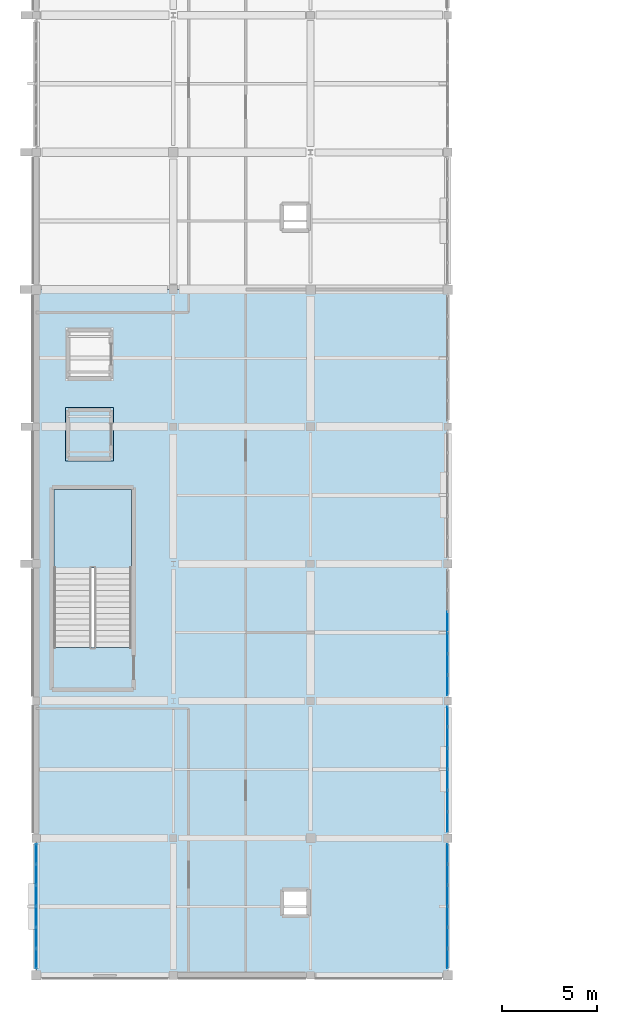
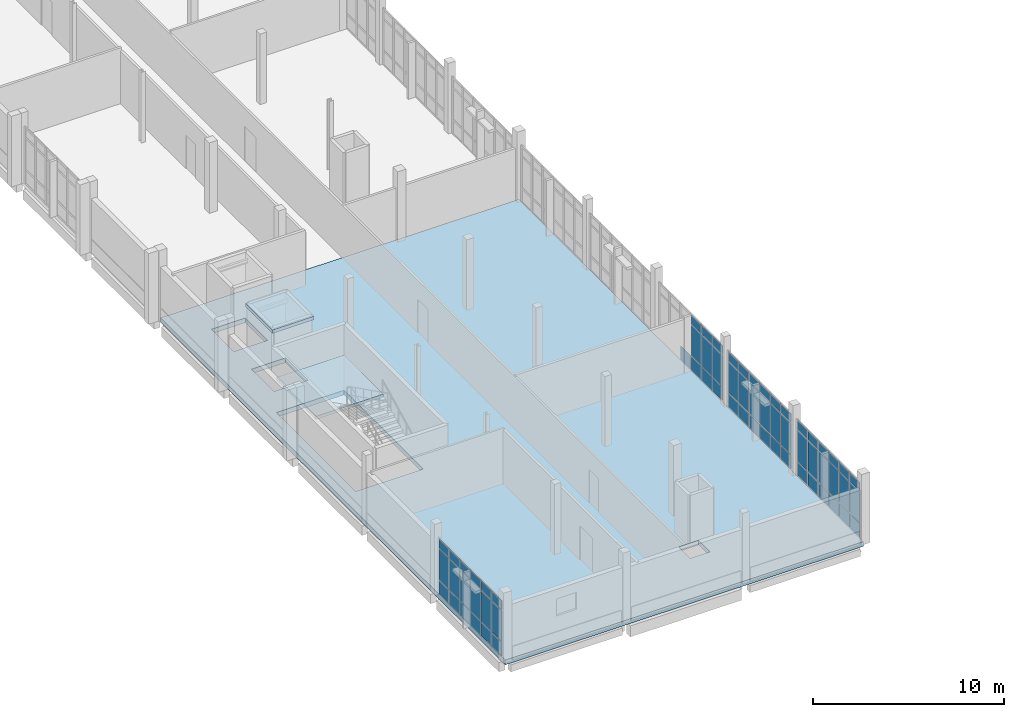
# One storey, part 45 of 62: 64 plates, 3 slabs, 5 elements without a shape of their own.
"""IFC4 building model written with IfcOpenShell, lengths in metres."""

from ifc_helpers import new_model, si_unit, direction, frame, origin, origin_2d, place, context, subcontext, project, spatial, polyline, rectangle, outline, extrude, material, layer, layer_set, type_object, element, aggregate, save


model = new_model("IFC4")

# Units and contexts
model_context = context("Model", 3, precision=1e-05, world=origin(), true_north=direction((0.0, 1.0)))
body_context = subcontext(model_context, "Body", "Model", "MODEL_VIEW")
ifc_project = project(units=[si_unit("LENGTHUNIT", "METRE"), si_unit("AREAUNIT", "SQUARE_METRE"), si_unit("VOLUMEUNIT", "CUBIC_METRE"), si_unit("PLANEANGLEUNIT", "RADIAN"), si_unit("MASSUNIT", "GRAM", prefix="KILO")], contexts=[model_context])

# Site, building, storey
site_placement = place(None, origin())
site = spatial("IfcSite", under=ifc_project, at=site_placement, CompositionType="ELEMENT")
building_placement = place(site_placement, origin())
building = spatial("IfcBuilding", under=site, at=building_placement, Name="Kalluvel Institute of Natural Sciences", CompositionType="ELEMENT")
storey_placement = place(building_placement, frame((0.0, 0.0, 27.89990234375)))
storey = spatial("IfcBuildingStorey", under=building, at=storey_placement, Name="L06", CompositionType="ELEMENT", Elevation=27.89990234375)

# Curtain wall, plates
ifc_material_1 = material(Name="Aluminium AW-6063 T6", Category="aluminium")
curtain_wall_type = type_object("IfcCurtainWallType", Name="CW-DRY-45", PredefinedType="USERDEFINED", material=ifc_material_1)
curtain_wall_1_placement = place(storey_placement, origin())
curtain_wall_1 = element("IfcCurtainWall", 1, at=curtain_wall_1_placement, inside=storey, type_object=curtain_wall_type, Name="L06 Gothic lancet curtain wall CWA-L06-X140-Y287", ObjectType="UNITISED LANCET FACADE", PredefinedType="USERDEFINED")
ifc_material_2 = material(Name="Solar-Control Low-E Laminated Glass", Category="glass")
ifc_layer_1 = layer(ifc_material_2, 0.028076171875)
ifc_layer_set_1 = layer_set([ifc_layer_1], Name="Solar-Control Low-E Laminated Glass")
plate_type = type_object("IfcPlateType", Name="CWP-DGU-28", PredefinedType="CURTAIN_PANEL", material=ifc_layer_set_1)
plate_1_placement = place(storey_placement, frame((14.0, 29.26708984375, 0.06005859375), z_axis=(0.0, 0.0, 1.0), x_axis=(0.0, 1.0, 0.0)))
plate_1 = element("IfcPlate", 2, at=plate_1_placement, type_object=plate_type, Name="CW-03 panel 1.1", PredefinedType="CURTAIN_PANEL", context=body_context, shape_type="SweptSolid", body=[
    extrude(rectangle(XDim=1.01416015625, YDim=0.028076171875, at=origin_2d()), origin(), (0.0, 0.0, 1.0), 0.860107421875),
])
plate_2_placement = place(storey_placement, frame((14.0, 29.26708984375, 0.980224609375), z_axis=(0.0, 0.0, 1.0), x_axis=(0.0, 1.0, 0.0)))
plate_2 = element("IfcPlate", 3, at=plate_2_placement, type_object=plate_type, Name="CW-03 panel 1.2", PredefinedType="CURTAIN_PANEL", context=body_context, shape_type="SweptSolid", body=[
    extrude(rectangle(XDim=1.01416015625, YDim=0.028076171875, at=origin_2d()), origin(), (0.0, 0.0, 1.0), 1.9599609375),
])
plate_3_placement = place(storey_placement, frame((14.0, 29.26708984375, 3.0), z_axis=(0.0, 0.0, 1.0), x_axis=(0.0, 1.0, 0.0)))
plate_3 = element("IfcPlate", 4, at=plate_3_placement, type_object=plate_type, Name="CW-03 panel 1.3", PredefinedType="CURTAIN_PANEL", context=body_context, shape_type="SweptSolid", body=[
    extrude(rectangle(XDim=1.01416015625, YDim=0.028076171875, at=origin_2d()), origin(), (0.0, 0.0, 1.0), 0.56005859375),
])
plate_4_placement = place(storey_placement, frame((14.0, 30.356201171875, 0.06005859375), z_axis=(0.0, 0.0, 1.0), x_axis=(0.0, 1.0, 0.0)))
plate_4 = element("IfcPlate", 5, at=plate_4_placement, type_object=plate_type, Name="CW-03 panel 2.1", PredefinedType="CURTAIN_PANEL", context=body_context, shape_type="SweptSolid", body=[
    extrude(rectangle(XDim=1.044189453125, YDim=0.028076171875, at=origin_2d()), origin(), (0.0, 0.0, 1.0), 0.860107421875),
])
plate_5_placement = place(storey_placement, frame((14.0, 30.356201171875, 0.980224609375), z_axis=(0.0, 0.0, 1.0), x_axis=(0.0, 1.0, 0.0)))
plate_5 = element("IfcPlate", 6, at=plate_5_placement, type_object=plate_type, Name="CW-03 panel 2.2", PredefinedType="CURTAIN_PANEL", context=body_context, shape_type="SweptSolid", body=[
    extrude(rectangle(XDim=1.044189453125, YDim=0.028076171875, at=origin_2d()), origin(), (0.0, 0.0, 1.0), 1.9599609375),
])
plate_6_placement = place(storey_placement, frame((14.0, 30.356201171875, 3.0), z_axis=(0.0, 0.0, 1.0), x_axis=(0.0, 1.0, 0.0)))
plate_6 = element("IfcPlate", 7, at=plate_6_placement, type_object=plate_type, Name="CW-03 panel 2.3", PredefinedType="CURTAIN_PANEL", context=body_context, shape_type="SweptSolid", body=[
    extrude(rectangle(XDim=1.044189453125, YDim=0.028076171875, at=origin_2d()), origin(), (0.0, 0.0, 1.0), 0.56005859375),
])
plate_7_placement = place(storey_placement, frame((14.0, 31.46044921875, 0.06005859375), z_axis=(0.0, 0.0, 1.0), x_axis=(0.0, 1.0, 0.0)))
plate_7 = element("IfcPlate", 8, at=plate_7_placement, type_object=plate_type, Name="CW-03 panel 3.1", PredefinedType="CURTAIN_PANEL", context=body_context, shape_type="SweptSolid", body=[
    extrude(rectangle(XDim=1.044189453125, YDim=0.028076171875, at=origin_2d()), origin(), (0.0, 0.0, 1.0), 0.860107421875),
])
plate_8_placement = place(storey_placement, frame((14.0, 31.46044921875, 0.980224609375), z_axis=(0.0, 0.0, 1.0), x_axis=(0.0, 1.0, 0.0)))
plate_8 = element("IfcPlate", 9, at=plate_8_placement, type_object=plate_type, Name="CW-03 panel 3.2", PredefinedType="CURTAIN_PANEL", context=body_context, shape_type="SweptSolid", body=[
    extrude(rectangle(XDim=1.044189453125, YDim=0.028076171875, at=origin_2d()), origin(), (0.0, 0.0, 1.0), 1.9599609375),
])
plate_9_placement = place(storey_placement, frame((14.0, 31.46044921875, 3.0), z_axis=(0.0, 0.0, 1.0), x_axis=(0.0, 1.0, 0.0)))
plate_9 = element("IfcPlate", 10, at=plate_9_placement, type_object=plate_type, Name="CW-03 panel 3.3", PredefinedType="CURTAIN_PANEL", context=body_context, shape_type="SweptSolid", body=[
    extrude(rectangle(XDim=1.044189453125, YDim=0.028076171875, at=origin_2d()), origin(), (0.0, 0.0, 1.0), 0.56005859375),
])
plate_10_placement = place(storey_placement, frame((14.0, 32.564697265625, 0.06005859375), z_axis=(0.0, 0.0, 1.0), x_axis=(0.0, 1.0, 0.0)))
plate_10 = element("IfcPlate", 11, at=plate_10_placement, type_object=plate_type, Name="CW-03 panel 4.1", PredefinedType="CURTAIN_PANEL", context=body_context, shape_type="SweptSolid", body=[
    extrude(rectangle(XDim=1.044189453125, YDim=0.028076171875, at=origin_2d()), origin(), (0.0, 0.0, 1.0), 0.860107421875),
])
plate_11_placement = place(storey_placement, frame((14.0, 32.564697265625, 0.980224609375), z_axis=(0.0, 0.0, 1.0), x_axis=(0.0, 1.0, 0.0)))
plate_11 = element("IfcPlate", 12, at=plate_11_placement, type_object=plate_type, Name="CW-03 panel 4.2", PredefinedType="CURTAIN_PANEL", context=body_context, shape_type="SweptSolid", body=[
    extrude(rectangle(XDim=1.044189453125, YDim=0.028076171875, at=origin_2d()), origin(), (0.0, 0.0, 1.0), 1.9599609375),
])
plate_12_placement = place(storey_placement, frame((14.0, 32.564697265625, 3.0), z_axis=(0.0, 0.0, 1.0), x_axis=(0.0, 1.0, 0.0)))
plate_12 = element("IfcPlate", 13, at=plate_12_placement, type_object=plate_type, Name="CW-03 panel 4.3", PredefinedType="CURTAIN_PANEL", context=body_context, shape_type="SweptSolid", body=[
    extrude(rectangle(XDim=1.044189453125, YDim=0.028076171875, at=origin_2d()), origin(), (0.0, 0.0, 1.0), 0.56005859375),
])
plate_13_placement = place(storey_placement, frame((14.0, 33.668701171875, 0.06005859375), z_axis=(0.0, 0.0, 1.0), x_axis=(0.0, 1.0, 0.0)))
plate_13 = element("IfcPlate", 14, at=plate_13_placement, type_object=plate_type, Name="CW-03 panel 5.1", PredefinedType="CURTAIN_PANEL", context=body_context, shape_type="SweptSolid", body=[
    extrude(rectangle(XDim=1.044189453125, YDim=0.028076171875, at=origin_2d()), origin(), (0.0, 0.0, 1.0), 0.860107421875),
])
plate_14_placement = place(storey_placement, frame((14.0, 33.668701171875, 0.980224609375), z_axis=(0.0, 0.0, 1.0), x_axis=(0.0, 1.0, 0.0)))
plate_14 = element("IfcPlate", 15, at=plate_14_placement, type_object=plate_type, Name="CW-03 panel 5.2", PredefinedType="CURTAIN_PANEL", context=body_context, shape_type="SweptSolid", body=[
    extrude(rectangle(XDim=1.044189453125, YDim=0.028076171875, at=origin_2d()), origin(), (0.0, 0.0, 1.0), 1.9599609375),
])
plate_15_placement = place(storey_placement, frame((14.0, 33.668701171875, 3.0), z_axis=(0.0, 0.0, 1.0), x_axis=(0.0, 1.0, 0.0)))
plate_15 = element("IfcPlate", 16, at=plate_15_placement, type_object=plate_type, Name="CW-03 panel 5.3", PredefinedType="CURTAIN_PANEL", context=body_context, shape_type="SweptSolid", body=[
    extrude(rectangle(XDim=1.044189453125, YDim=0.028076171875, at=origin_2d()), origin(), (0.0, 0.0, 1.0), 0.56005859375),
])
plate_16_placement = place(storey_placement, frame((14.0, 34.7578125, 0.06005859375), z_axis=(0.0, 0.0, 1.0), x_axis=(0.0, 1.0, 0.0)))
plate_16 = element("IfcPlate", 17, at=plate_16_placement, type_object=plate_type, Name="CW-03 panel 6.1", PredefinedType="CURTAIN_PANEL", context=body_context, shape_type="SweptSolid", body=[
    extrude(rectangle(XDim=1.01416015625, YDim=0.028076171875, at=origin_2d()), origin(), (0.0, 0.0, 1.0), 0.860107421875),
])
plate_17_placement = place(storey_placement, frame((14.0, 34.7578125, 0.980224609375), z_axis=(0.0, 0.0, 1.0), x_axis=(0.0, 1.0, 0.0)))
plate_17 = element("IfcPlate", 18, at=plate_17_placement, type_object=plate_type, Name="CW-03 panel 6.2", PredefinedType="CURTAIN_PANEL", context=body_context, shape_type="SweptSolid", body=[
    extrude(rectangle(XDim=1.01416015625, YDim=0.028076171875, at=origin_2d()), origin(), (0.0, 0.0, 1.0), 1.9599609375),
])
plate_18_placement = place(storey_placement, frame((14.0, 34.7578125, 3.0), z_axis=(0.0, 0.0, 1.0), x_axis=(0.0, 1.0, 0.0)))
plate_18 = element("IfcPlate", 19, at=plate_18_placement, type_object=plate_type, Name="CW-03 panel 6.3", PredefinedType="CURTAIN_PANEL", context=body_context, shape_type="SweptSolid", body=[
    extrude(rectangle(XDim=1.01416015625, YDim=0.028076171875, at=origin_2d()), origin(), (0.0, 0.0, 1.0), 0.56005859375),
])
aggregate(curtain_wall_1, [plate_1, plate_2, plate_3, plate_4, plate_5, plate_6, plate_7, plate_8, plate_9, plate_10, plate_11, plate_12, plate_13, plate_14, plate_15, plate_16, plate_17, plate_18])

curtain_wall_2_placement = place(storey_placement, origin())
curtain_wall_2 = element("IfcCurtainWall", 20, at=curtain_wall_2_placement, inside=storey, type_object=curtain_wall_type, Name="L06 Gothic lancet curtain wall CWA-L06-X356-Y287", ObjectType="UNITISED LANCET FACADE", PredefinedType="USERDEFINED")
plate_19_placement = place(storey_placement, frame((35.60009765625, 29.26708984375, 0.06005859375), z_axis=(0.0, 0.0, 1.0), x_axis=(0.0, 1.0, 0.0)))
plate_19 = element("IfcPlate", 21, at=plate_19_placement, type_object=plate_type, Name="CW-03 panel 1.1", PredefinedType="CURTAIN_PANEL", context=body_context, shape_type="SweptSolid", body=[
    extrude(rectangle(XDim=1.01416015625, YDim=0.028076171875, at=origin_2d()), origin(), (0.0, 0.0, 1.0), 0.860107421875),
])
plate_20_placement = place(storey_placement, frame((35.60009765625, 29.26708984375, 0.980224609375), z_axis=(0.0, 0.0, 1.0), x_axis=(0.0, 1.0, 0.0)))
plate_20 = element("IfcPlate", 22, at=plate_20_placement, type_object=plate_type, Name="CW-03 panel 1.2", PredefinedType="CURTAIN_PANEL", context=body_context, shape_type="SweptSolid", body=[
    extrude(rectangle(XDim=1.01416015625, YDim=0.028076171875, at=origin_2d()), origin(), (0.0, 0.0, 1.0), 1.9599609375),
])
plate_21_placement = place(storey_placement, frame((35.60009765625, 29.26708984375, 3.0), z_axis=(0.0, 0.0, 1.0), x_axis=(0.0, 1.0, 0.0)))
plate_21 = element("IfcPlate", 23, at=plate_21_placement, type_object=plate_type, Name="CW-03 panel 1.3", PredefinedType="CURTAIN_PANEL", context=body_context, shape_type="SweptSolid", body=[
    extrude(rectangle(XDim=1.01416015625, YDim=0.028076171875, at=origin_2d()), origin(), (0.0, 0.0, 1.0), 0.56005859375),
])
plate_22_placement = place(storey_placement, frame((35.60009765625, 30.356201171875, 0.06005859375), z_axis=(0.0, 0.0, 1.0), x_axis=(0.0, 1.0, 0.0)))
plate_22 = element("IfcPlate", 24, at=plate_22_placement, type_object=plate_type, Name="CW-03 panel 2.1", PredefinedType="CURTAIN_PANEL", context=body_context, shape_type="SweptSolid", body=[
    extrude(rectangle(XDim=1.044189453125, YDim=0.028076171875, at=origin_2d()), origin(), (0.0, 0.0, 1.0), 0.860107421875),
])
plate_23_placement = place(storey_placement, frame((35.60009765625, 30.356201171875, 0.980224609375), z_axis=(0.0, 0.0, 1.0), x_axis=(0.0, 1.0, 0.0)))
plate_23 = element("IfcPlate", 25, at=plate_23_placement, type_object=plate_type, Name="CW-03 panel 2.2", PredefinedType="CURTAIN_PANEL", context=body_context, shape_type="SweptSolid", body=[
    extrude(rectangle(XDim=1.044189453125, YDim=0.028076171875, at=origin_2d()), origin(), (0.0, 0.0, 1.0), 1.9599609375),
])
plate_24_placement = place(storey_placement, frame((35.60009765625, 30.356201171875, 3.0), z_axis=(0.0, 0.0, 1.0), x_axis=(0.0, 1.0, 0.0)))
plate_24 = element("IfcPlate", 26, at=plate_24_placement, type_object=plate_type, Name="CW-03 panel 2.3", PredefinedType="CURTAIN_PANEL", context=body_context, shape_type="SweptSolid", body=[
    extrude(rectangle(XDim=1.044189453125, YDim=0.028076171875, at=origin_2d()), origin(), (0.0, 0.0, 1.0), 0.56005859375),
])
plate_25_placement = place(storey_placement, frame((35.60009765625, 31.46044921875, 0.06005859375), z_axis=(0.0, 0.0, 1.0), x_axis=(0.0, 1.0, 0.0)))
plate_25 = element("IfcPlate", 27, at=plate_25_placement, type_object=plate_type, Name="CW-03 panel 3.1", PredefinedType="CURTAIN_PANEL", context=body_context, shape_type="SweptSolid", body=[
    extrude(rectangle(XDim=1.044189453125, YDim=0.028076171875, at=origin_2d()), origin(), (0.0, 0.0, 1.0), 0.860107421875),
])
plate_26_placement = place(storey_placement, frame((35.60009765625, 31.46044921875, 0.980224609375), z_axis=(0.0, 0.0, 1.0), x_axis=(0.0, 1.0, 0.0)))
plate_26 = element("IfcPlate", 28, at=plate_26_placement, type_object=plate_type, Name="CW-03 panel 3.2", PredefinedType="CURTAIN_PANEL", context=body_context, shape_type="SweptSolid", body=[
    extrude(rectangle(XDim=1.044189453125, YDim=0.028076171875, at=origin_2d()), origin(), (0.0, 0.0, 1.0), 1.9599609375),
])
plate_27_placement = place(storey_placement, frame((35.60009765625, 31.46044921875, 3.0), z_axis=(0.0, 0.0, 1.0), x_axis=(0.0, 1.0, 0.0)))
plate_27 = element("IfcPlate", 29, at=plate_27_placement, type_object=plate_type, Name="CW-03 panel 3.3", PredefinedType="CURTAIN_PANEL", context=body_context, shape_type="SweptSolid", body=[
    extrude(rectangle(XDim=1.044189453125, YDim=0.028076171875, at=origin_2d()), origin(), (0.0, 0.0, 1.0), 0.56005859375),
])
plate_28_placement = place(storey_placement, frame((35.60009765625, 32.564697265625, 0.06005859375), z_axis=(0.0, 0.0, 1.0), x_axis=(0.0, 1.0, 0.0)))
plate_28 = element("IfcPlate", 30, at=plate_28_placement, type_object=plate_type, Name="CW-03 panel 4.1", PredefinedType="CURTAIN_PANEL", context=body_context, shape_type="SweptSolid", body=[
    extrude(rectangle(XDim=1.044189453125, YDim=0.028076171875, at=origin_2d()), origin(), (0.0, 0.0, 1.0), 0.860107421875),
])
plate_29_placement = place(storey_placement, frame((35.60009765625, 32.564697265625, 0.980224609375), z_axis=(0.0, 0.0, 1.0), x_axis=(0.0, 1.0, 0.0)))
plate_29 = element("IfcPlate", 31, at=plate_29_placement, type_object=plate_type, Name="CW-03 panel 4.2", PredefinedType="CURTAIN_PANEL", context=body_context, shape_type="SweptSolid", body=[
    extrude(rectangle(XDim=1.044189453125, YDim=0.028076171875, at=origin_2d()), origin(), (0.0, 0.0, 1.0), 1.9599609375),
])
plate_30_placement = place(storey_placement, frame((35.60009765625, 32.564697265625, 3.0), z_axis=(0.0, 0.0, 1.0), x_axis=(0.0, 1.0, 0.0)))
plate_30 = element("IfcPlate", 32, at=plate_30_placement, type_object=plate_type, Name="CW-03 panel 4.3", PredefinedType="CURTAIN_PANEL", context=body_context, shape_type="SweptSolid", body=[
    extrude(rectangle(XDim=1.044189453125, YDim=0.028076171875, at=origin_2d()), origin(), (0.0, 0.0, 1.0), 0.56005859375),
])
plate_31_placement = place(storey_placement, frame((35.60009765625, 33.668701171875, 0.06005859375), z_axis=(0.0, 0.0, 1.0), x_axis=(0.0, 1.0, 0.0)))
plate_31 = element("IfcPlate", 33, at=plate_31_placement, type_object=plate_type, Name="CW-03 panel 5.1", PredefinedType="CURTAIN_PANEL", context=body_context, shape_type="SweptSolid", body=[
    extrude(rectangle(XDim=1.044189453125, YDim=0.028076171875, at=origin_2d()), origin(), (0.0, 0.0, 1.0), 0.860107421875),
])
plate_32_placement = place(storey_placement, frame((35.60009765625, 33.668701171875, 0.980224609375), z_axis=(0.0, 0.0, 1.0), x_axis=(0.0, 1.0, 0.0)))
plate_32 = element("IfcPlate", 34, at=plate_32_placement, type_object=plate_type, Name="CW-03 panel 5.2", PredefinedType="CURTAIN_PANEL", context=body_context, shape_type="SweptSolid", body=[
    extrude(rectangle(XDim=1.044189453125, YDim=0.028076171875, at=origin_2d()), origin(), (0.0, 0.0, 1.0), 1.9599609375),
])
plate_33_placement = place(storey_placement, frame((35.60009765625, 33.668701171875, 3.0), z_axis=(0.0, 0.0, 1.0), x_axis=(0.0, 1.0, 0.0)))
plate_33 = element("IfcPlate", 35, at=plate_33_placement, type_object=plate_type, Name="CW-03 panel 5.3", PredefinedType="CURTAIN_PANEL", context=body_context, shape_type="SweptSolid", body=[
    extrude(rectangle(XDim=1.044189453125, YDim=0.028076171875, at=origin_2d()), origin(), (0.0, 0.0, 1.0), 0.56005859375),
])
plate_34_placement = place(storey_placement, frame((35.60009765625, 34.7578125, 0.06005859375), z_axis=(0.0, 0.0, 1.0), x_axis=(0.0, 1.0, 0.0)))
plate_34 = element("IfcPlate", 36, at=plate_34_placement, type_object=plate_type, Name="CW-03 panel 6.1", PredefinedType="CURTAIN_PANEL", context=body_context, shape_type="SweptSolid", body=[
    extrude(rectangle(XDim=1.01416015625, YDim=0.028076171875, at=origin_2d()), origin(), (0.0, 0.0, 1.0), 0.860107421875),
])
plate_35_placement = place(storey_placement, frame((35.60009765625, 34.7578125, 0.980224609375), z_axis=(0.0, 0.0, 1.0), x_axis=(0.0, 1.0, 0.0)))
plate_35 = element("IfcPlate", 37, at=plate_35_placement, type_object=plate_type, Name="CW-03 panel 6.2", PredefinedType="CURTAIN_PANEL", context=body_context, shape_type="SweptSolid", body=[
    extrude(rectangle(XDim=1.01416015625, YDim=0.028076171875, at=origin_2d()), origin(), (0.0, 0.0, 1.0), 1.9599609375),
])
plate_36_placement = place(storey_placement, frame((35.60009765625, 34.7578125, 3.0), z_axis=(0.0, 0.0, 1.0), x_axis=(0.0, 1.0, 0.0)))
plate_36 = element("IfcPlate", 38, at=plate_36_placement, type_object=plate_type, Name="CW-03 panel 6.3", PredefinedType="CURTAIN_PANEL", context=body_context, shape_type="SweptSolid", body=[
    extrude(rectangle(XDim=1.01416015625, YDim=0.028076171875, at=origin_2d()), origin(), (0.0, 0.0, 1.0), 0.56005859375),
])
aggregate(curtain_wall_2, [plate_19, plate_20, plate_21, plate_22, plate_23, plate_24, plate_25, plate_26, plate_27, plate_28, plate_29, plate_30, plate_31, plate_32, plate_33, plate_34, plate_35, plate_36])

curtain_wall_3_placement = place(storey_placement, origin())
curtain_wall_3 = element("IfcCurtainWall", 39, at=curtain_wall_3_placement, inside=storey, type_object=curtain_wall_type, Name="L06 Gothic lancet curtain wall CWA-L06-X356-Y359", ObjectType="UNITISED LANCET FACADE", PredefinedType="USERDEFINED")
plate_37_placement = place(storey_placement, frame((35.60009765625, 36.4462890625, 0.06005859375), z_axis=(0.0, 0.0, 1.0), x_axis=(0.0, 1.0, 0.0)))
plate_37 = element("IfcPlate", 40, at=plate_37_placement, type_object=plate_type, Name="CW-03 panel 1.1", PredefinedType="CURTAIN_PANEL", context=body_context, shape_type="SweptSolid", body=[
    extrude(rectangle(XDim=1.0224609375, YDim=0.028076171875, at=origin_2d()), origin(), (0.0, 0.0, 1.0), 0.860107421875),
])
plate_38_placement = place(storey_placement, frame((35.60009765625, 36.4462890625, 0.980224609375), z_axis=(0.0, 0.0, 1.0), x_axis=(0.0, 1.0, 0.0)))
plate_38 = element("IfcPlate", 41, at=plate_38_placement, type_object=plate_type, Name="CW-03 panel 1.2", PredefinedType="CURTAIN_PANEL", context=body_context, shape_type="SweptSolid", body=[
    extrude(rectangle(XDim=1.0224609375, YDim=0.028076171875, at=origin_2d()), origin(), (0.0, 0.0, 1.0), 1.9599609375),
])
plate_39_placement = place(storey_placement, frame((35.60009765625, 36.4462890625, 3.0), z_axis=(0.0, 0.0, 1.0), x_axis=(0.0, 1.0, 0.0)))
plate_39 = element("IfcPlate", 42, at=plate_39_placement, type_object=plate_type, Name="CW-03 panel 1.3", PredefinedType="CURTAIN_PANEL", context=body_context, shape_type="SweptSolid", body=[
    extrude(rectangle(XDim=1.0224609375, YDim=0.028076171875, at=origin_2d()), origin(), (0.0, 0.0, 1.0), 0.56005859375),
])
plate_40_placement = place(storey_placement, frame((35.60009765625, 37.543701171875, 0.06005859375), z_axis=(0.0, 0.0, 1.0), x_axis=(0.0, 1.0, 0.0)))
plate_40 = element("IfcPlate", 43, at=plate_40_placement, type_object=plate_type, Name="CW-03 panel 2.1", PredefinedType="CURTAIN_PANEL", context=body_context, shape_type="SweptSolid", body=[
    extrude(rectangle(XDim=1.052490234375, YDim=0.028076171875, at=origin_2d()), origin(), (0.0, 0.0, 1.0), 0.860107421875),
])
plate_41_placement = place(storey_placement, frame((35.60009765625, 37.543701171875, 0.980224609375), z_axis=(0.0, 0.0, 1.0), x_axis=(0.0, 1.0, 0.0)))
plate_41 = element("IfcPlate", 44, at=plate_41_placement, type_object=plate_type, Name="CW-03 panel 2.2", PredefinedType="CURTAIN_PANEL", context=body_context, shape_type="SweptSolid", body=[
    extrude(rectangle(XDim=1.052490234375, YDim=0.028076171875, at=origin_2d()), origin(), (0.0, 0.0, 1.0), 1.9599609375),
])
plate_42_placement = place(storey_placement, frame((35.60009765625, 37.543701171875, 3.0), z_axis=(0.0, 0.0, 1.0), x_axis=(0.0, 1.0, 0.0)))
plate_42 = element("IfcPlate", 45, at=plate_42_placement, type_object=plate_type, Name="CW-03 panel 2.3", PredefinedType="CURTAIN_PANEL", context=body_context, shape_type="SweptSolid", body=[
    extrude(rectangle(XDim=1.052490234375, YDim=0.028076171875, at=origin_2d()), origin(), (0.0, 0.0, 1.0), 0.56005859375),
])
plate_43_placement = place(storey_placement, frame((35.60009765625, 38.65625, 0.06005859375), z_axis=(0.0, 0.0, 1.0), x_axis=(0.0, 1.0, 0.0)))
plate_43 = element("IfcPlate", 46, at=plate_43_placement, type_object=plate_type, Name="CW-03 panel 3.1", PredefinedType="CURTAIN_PANEL", context=body_context, shape_type="SweptSolid", body=[
    extrude(rectangle(XDim=1.052490234375, YDim=0.028076171875, at=origin_2d()), origin(), (0.0, 0.0, 1.0), 0.860107421875),
])
plate_44_placement = place(storey_placement, frame((35.60009765625, 38.65625, 0.980224609375), z_axis=(0.0, 0.0, 1.0), x_axis=(0.0, 1.0, 0.0)))
plate_44 = element("IfcPlate", 47, at=plate_44_placement, type_object=plate_type, Name="CW-03 panel 3.2", PredefinedType="CURTAIN_PANEL", context=body_context, shape_type="SweptSolid", body=[
    extrude(rectangle(XDim=1.052490234375, YDim=0.028076171875, at=origin_2d()), origin(), (0.0, 0.0, 1.0), 1.9599609375),
])
plate_45_placement = place(storey_placement, frame((35.60009765625, 38.65625, 3.0), z_axis=(0.0, 0.0, 1.0), x_axis=(0.0, 1.0, 0.0)))
plate_45 = element("IfcPlate", 48, at=plate_45_placement, type_object=plate_type, Name="CW-03 panel 3.3", PredefinedType="CURTAIN_PANEL", context=body_context, shape_type="SweptSolid", body=[
    extrude(rectangle(XDim=1.052490234375, YDim=0.028076171875, at=origin_2d()), origin(), (0.0, 0.0, 1.0), 0.56005859375),
])
plate_46_placement = place(storey_placement, frame((35.60009765625, 39.768798828125, 0.06005859375), z_axis=(0.0, 0.0, 1.0), x_axis=(0.0, 1.0, 0.0)))
plate_46 = element("IfcPlate", 49, at=plate_46_placement, type_object=plate_type, Name="CW-03 panel 4.1", PredefinedType="CURTAIN_PANEL", context=body_context, shape_type="SweptSolid", body=[
    extrude(rectangle(XDim=1.052490234375, YDim=0.028076171875, at=origin_2d()), origin(), (0.0, 0.0, 1.0), 0.860107421875),
])
plate_47_placement = place(storey_placement, frame((35.60009765625, 39.768798828125, 0.980224609375), z_axis=(0.0, 0.0, 1.0), x_axis=(0.0, 1.0, 0.0)))
plate_47 = element("IfcPlate", 50, at=plate_47_placement, type_object=plate_type, Name="CW-03 panel 4.2", PredefinedType="CURTAIN_PANEL", context=body_context, shape_type="SweptSolid", body=[
    extrude(rectangle(XDim=1.052490234375, YDim=0.028076171875, at=origin_2d()), origin(), (0.0, 0.0, 1.0), 1.9599609375),
])
plate_48_placement = place(storey_placement, frame((35.60009765625, 39.768798828125, 3.0), z_axis=(0.0, 0.0, 1.0), x_axis=(0.0, 1.0, 0.0)))
plate_48 = element("IfcPlate", 51, at=plate_48_placement, type_object=plate_type, Name="CW-03 panel 4.3", PredefinedType="CURTAIN_PANEL", context=body_context, shape_type="SweptSolid", body=[
    extrude(rectangle(XDim=1.052490234375, YDim=0.028076171875, at=origin_2d()), origin(), (0.0, 0.0, 1.0), 0.56005859375),
])
plate_49_placement = place(storey_placement, frame((35.60009765625, 40.88134765625, 0.06005859375), z_axis=(0.0, 0.0, 1.0), x_axis=(0.0, 1.0, 0.0)))
plate_49 = element("IfcPlate", 52, at=plate_49_placement, type_object=plate_type, Name="CW-03 panel 5.1", PredefinedType="CURTAIN_PANEL", context=body_context, shape_type="SweptSolid", body=[
    extrude(rectangle(XDim=1.052490234375, YDim=0.028076171875, at=origin_2d()), origin(), (0.0, 0.0, 1.0), 0.860107421875),
])
plate_50_placement = place(storey_placement, frame((35.60009765625, 40.88134765625, 0.980224609375), z_axis=(0.0, 0.0, 1.0), x_axis=(0.0, 1.0, 0.0)))
plate_50 = element("IfcPlate", 53, at=plate_50_placement, type_object=plate_type, Name="CW-03 panel 5.2", PredefinedType="CURTAIN_PANEL", context=body_context, shape_type="SweptSolid", body=[
    extrude(rectangle(XDim=1.052490234375, YDim=0.028076171875, at=origin_2d()), origin(), (0.0, 0.0, 1.0), 1.9599609375),
])
plate_51_placement = place(storey_placement, frame((35.60009765625, 40.88134765625, 3.0), z_axis=(0.0, 0.0, 1.0), x_axis=(0.0, 1.0, 0.0)))
plate_51 = element("IfcPlate", 54, at=plate_51_placement, type_object=plate_type, Name="CW-03 panel 5.3", PredefinedType="CURTAIN_PANEL", context=body_context, shape_type="SweptSolid", body=[
    extrude(rectangle(XDim=1.052490234375, YDim=0.028076171875, at=origin_2d()), origin(), (0.0, 0.0, 1.0), 0.56005859375),
])
plate_52_placement = place(storey_placement, frame((35.60009765625, 41.978759765625, 0.06005859375), z_axis=(0.0, 0.0, 1.0), x_axis=(0.0, 1.0, 0.0)))
plate_52 = element("IfcPlate", 55, at=plate_52_placement, type_object=plate_type, Name="CW-03 panel 6.1", PredefinedType="CURTAIN_PANEL", context=body_context, shape_type="SweptSolid", body=[
    extrude(rectangle(XDim=1.0224609375, YDim=0.028076171875, at=origin_2d()), origin(), (0.0, 0.0, 1.0), 0.860107421875),
])
plate_53_placement = place(storey_placement, frame((35.60009765625, 41.978759765625, 0.980224609375), z_axis=(0.0, 0.0, 1.0), x_axis=(0.0, 1.0, 0.0)))
plate_53 = element("IfcPlate", 56, at=plate_53_placement, type_object=plate_type, Name="CW-03 panel 6.2", PredefinedType="CURTAIN_PANEL", context=body_context, shape_type="SweptSolid", body=[
    extrude(rectangle(XDim=1.0224609375, YDim=0.028076171875, at=origin_2d()), origin(), (0.0, 0.0, 1.0), 1.9599609375),
])
plate_54_placement = place(storey_placement, frame((35.60009765625, 41.978759765625, 3.0), z_axis=(0.0, 0.0, 1.0), x_axis=(0.0, 1.0, 0.0)))
plate_54 = element("IfcPlate", 57, at=plate_54_placement, type_object=plate_type, Name="CW-03 panel 6.3", PredefinedType="CURTAIN_PANEL", context=body_context, shape_type="SweptSolid", body=[
    extrude(rectangle(XDim=1.0224609375, YDim=0.028076171875, at=origin_2d()), origin(), (0.0, 0.0, 1.0), 0.56005859375),
])
aggregate(curtain_wall_3, [plate_37, plate_38, plate_39, plate_40, plate_41, plate_42, plate_43, plate_44, plate_45, plate_46, plate_47, plate_48, plate_49, plate_50, plate_51, plate_52, plate_53, plate_54])

curtain_wall_4_placement = place(storey_placement, origin())
curtain_wall_4 = element("IfcCurtainWall", 58, at=curtain_wall_4_placement, inside=storey, type_object=curtain_wall_type, Name="L06 Gothic lancet curtain wall CWA-L06-X356-Y430", ObjectType="UNITISED LANCET FACADE", PredefinedType="USERDEFINED")
plate_55_placement = place(storey_placement, frame((35.60009765625, 43.621337890625, 0.06005859375), z_axis=(0.0, 0.0, 1.0), x_axis=(0.0, 1.0, 0.0)))
plate_55 = element("IfcPlate", 59, at=plate_55_placement, type_object=plate_type, Name="CW-03 panel 1.1", PredefinedType="CURTAIN_PANEL", context=body_context, shape_type="SweptSolid", body=[
    extrude(rectangle(XDim=1.0224609375, YDim=0.028076171875, at=origin_2d()), origin(), (0.0, 0.0, 1.0), 0.860107421875),
])
plate_56_placement = place(storey_placement, frame((35.60009765625, 43.621337890625, 0.980224609375), z_axis=(0.0, 0.0, 1.0), x_axis=(0.0, 1.0, 0.0)))
plate_56 = element("IfcPlate", 60, at=plate_56_placement, type_object=plate_type, Name="CW-03 panel 1.2", PredefinedType="CURTAIN_PANEL", context=body_context, shape_type="SweptSolid", body=[
    extrude(rectangle(XDim=1.0224609375, YDim=0.028076171875, at=origin_2d()), origin(), (0.0, 0.0, 1.0), 1.9599609375),
])
plate_57_placement = place(storey_placement, frame((35.60009765625, 43.621337890625, 3.0), z_axis=(0.0, 0.0, 1.0), x_axis=(0.0, 1.0, 0.0)))
plate_57 = element("IfcPlate", 61, at=plate_57_placement, type_object=plate_type, Name="CW-03 panel 1.3", PredefinedType="CURTAIN_PANEL", context=body_context, shape_type="SweptSolid", body=[
    extrude(rectangle(XDim=1.0224609375, YDim=0.028076171875, at=origin_2d()), origin(), (0.0, 0.0, 1.0), 0.56005859375),
])
plate_58_placement = place(storey_placement, frame((35.60009765625, 44.71875, 0.06005859375), z_axis=(0.0, 0.0, 1.0), x_axis=(0.0, 1.0, 0.0)))
plate_58 = element("IfcPlate", 62, at=plate_58_placement, type_object=plate_type, Name="CW-03 panel 2.1", PredefinedType="CURTAIN_PANEL", context=body_context, shape_type="SweptSolid", body=[
    extrude(rectangle(XDim=1.052490234375, YDim=0.028076171875, at=origin_2d()), origin(), (0.0, 0.0, 1.0), 0.860107421875),
])
plate_59_placement = place(storey_placement, frame((35.60009765625, 44.71875, 0.980224609375), z_axis=(0.0, 0.0, 1.0), x_axis=(0.0, 1.0, 0.0)))
plate_59 = element("IfcPlate", 63, at=plate_59_placement, type_object=plate_type, Name="CW-03 panel 2.2", PredefinedType="CURTAIN_PANEL", context=body_context, shape_type="SweptSolid", body=[
    extrude(rectangle(XDim=1.052490234375, YDim=0.028076171875, at=origin_2d()), origin(), (0.0, 0.0, 1.0), 1.9599609375),
])
plate_60_placement = place(storey_placement, frame((35.60009765625, 44.71875, 3.0), z_axis=(0.0, 0.0, 1.0), x_axis=(0.0, 1.0, 0.0)))
plate_60 = element("IfcPlate", 64, at=plate_60_placement, type_object=plate_type, Name="CW-03 panel 2.3", PredefinedType="CURTAIN_PANEL", context=body_context, shape_type="SweptSolid", body=[
    extrude(rectangle(XDim=1.052490234375, YDim=0.028076171875, at=origin_2d()), origin(), (0.0, 0.0, 1.0), 0.56005859375),
])
plate_61_placement = place(storey_placement, frame((35.60009765625, 45.831298828125, 0.06005859375), z_axis=(0.0, 0.0, 1.0), x_axis=(0.0, 1.0, 0.0)))
plate_61 = element("IfcPlate", 65, at=plate_61_placement, type_object=plate_type, Name="CW-03 panel 3.1", PredefinedType="CURTAIN_PANEL", context=body_context, shape_type="SweptSolid", body=[
    extrude(rectangle(XDim=1.052490234375, YDim=0.028076171875, at=origin_2d()), origin(), (0.0, 0.0, 1.0), 0.860107421875),
])
plate_62_placement = place(storey_placement, frame((35.60009765625, 45.831298828125, 0.980224609375), z_axis=(0.0, 0.0, 1.0), x_axis=(0.0, 1.0, 0.0)))
plate_62 = element("IfcPlate", 66, at=plate_62_placement, type_object=plate_type, Name="CW-03 panel 3.2", PredefinedType="CURTAIN_PANEL", context=body_context, shape_type="SweptSolid", body=[
    extrude(rectangle(XDim=1.052490234375, YDim=0.028076171875, at=origin_2d()), origin(), (0.0, 0.0, 1.0), 1.9599609375),
])
plate_63_placement = place(storey_placement, frame((35.60009765625, 45.831298828125, 3.0), z_axis=(0.0, 0.0, 1.0), x_axis=(0.0, 1.0, 0.0)))
plate_63 = element("IfcPlate", 67, at=plate_63_placement, type_object=plate_type, Name="CW-03 panel 3.3", PredefinedType="CURTAIN_PANEL", context=body_context, shape_type="SweptSolid", body=[
    extrude(rectangle(XDim=1.052490234375, YDim=0.028076171875, at=origin_2d()), origin(), (0.0, 0.0, 1.0), 0.56005859375),
])
plate_64_placement = place(storey_placement, frame((35.60009765625, 46.94384765625, 0.06005859375), z_axis=(0.0, 0.0, 1.0), x_axis=(0.0, 1.0, 0.0)))
plate_64 = element("IfcPlate", 68, at=plate_64_placement, type_object=plate_type, Name="CW-03 panel 4.1", PredefinedType="CURTAIN_PANEL", context=body_context, shape_type="SweptSolid", body=[
    extrude(rectangle(XDim=1.052490234375, YDim=0.028076171875, at=origin_2d()), origin(), (0.0, 0.0, 1.0), 0.860107421875),
])
aggregate(curtain_wall_4, [plate_55, plate_56, plate_57, plate_58, plate_59, plate_60, plate_61, plate_62, plate_63, plate_64])

# Slabs
ifc_material_3 = material(Name="Concrete M40", Category="concrete")
ifc_layer_2 = layer(ifc_material_3, 0.300048828125)
ifc_layer_set_2 = layer_set([ifc_layer_2], Name="Concrete M40")
slab_type_1 = type_object("IfcSlabType", Name="SLB-DRY-300", PredefinedType="FLOOR", material=ifc_layer_set_2)
slab_1_placement = place(storey_placement, frame((0.0, 0.0, -0.2998046875)))
element("IfcSlab", 69, at=slab_1_placement, inside=storey, type_object=slab_type_1, Name="L06 Dry Laboratory Floor Slab S", PredefinedType="FLOOR", context=body_context, shape_type="SweptSolid", body=[
    extrude(outline(polyline([(14.0, 28.39990234375), (35.60009765625, 28.39990234375), (35.60009765625, 64.39990234375), (14.0, 64.39990234375), (14.0, 28.39990234375)]), holes=[polyline([(28.199951171875, 32.800048828125), (28.199951171875, 31.60009765625), (27.0, 31.60009765625), (27.0, 32.800048828125), (28.199951171875, 32.800048828125)]), polyline([(14.929931640625, 53.89990234375), (19.0, 53.89990234375), (19.0, 45.617919921875), (14.929931640625, 45.617919921875), (14.929931640625, 53.89990234375)]), polyline([(17.820068359375, 57.969970703125), (17.820068359375, 55.6298828125), (15.780029296875, 55.6298828125), (15.780029296875, 57.969970703125), (17.820068359375, 57.969970703125)]), polyline([(17.820068359375, 62.169921875), (17.820068359375, 59.830078125), (15.780029296875, 59.830078125), (15.780029296875, 62.169921875), (17.820068359375, 62.169921875)])]), origin(), (0.0, 0.0, 1.0), 0.2998046875),
])
ifc_layer_3 = layer(ifc_material_3, 0.320068359375)
ifc_layer_set_3 = layer_set([ifc_layer_3], Name="Concrete M40")
slab_type_2 = type_object("IfcSlabType", Name="SLB-WET-320", PredefinedType="FLOOR", material=ifc_layer_set_3)
slab_2_placement = place(storey_placement, frame((0.0, 0.0, 3.920166015625)))
element("IfcSlab", 70, at=slab_2_placement, inside=storey, type_object=slab_type_2, Name="LF6 shaft overrun cap slab", PredefinedType="FLOOR", context=body_context, shape_type="SweptSolid", body=[
    extrude(outline(polyline([(15.5400390625, 55.389892578125), (18.06005859375, 55.389892578125), (18.06005859375, 58.2099609375), (15.5400390625, 58.2099609375), (15.5400390625, 55.389892578125)])), origin(), (0.0, 0.0, 1.0), 0.219970703125),
])

# Stair, slab
stair_type = type_object("IfcStairType", Name="STR-ST4-45", PredefinedType="HALF_TURN_STAIR", material=ifc_material_3)
stair_placement = place(storey_placement, origin())
stair = element("IfcStair", 71, at=stair_placement, inside=storey, type_object=stair_type, Name="L06 Dry Wing Protected Exit Stair ST4", PredefinedType="HALF_TURN_STAIR")
ifc_layer_4 = layer(ifc_material_3, 0.199951171875)
ifc_layer_set_4 = layer_set([ifc_layer_4], Name="Concrete M40")
slab_type_3 = type_object("IfcSlabType", Name="SLD-ST4", PredefinedType="LANDING", material=ifc_layer_set_4)
slab_3_placement = place(storey_placement, frame((0.0, 0.0, 2.050048828125)))
slab_3 = element("IfcSlab", 72, at=slab_3_placement, type_object=slab_type_3, Name="S4-45 landing 1", PredefinedType="LANDING", context=body_context, shape_type="SweptSolid", body=[
    extrude(outline(polyline([(19.0, 49.781982421875), (19.0, 53.89990234375), (14.929931640625, 53.89990234375), (14.929931640625, 49.781982421875), (19.0, 49.781982421875)])), origin(), (0.0, 0.0, 1.0), 0.199951171875),
])
aggregate(stair, [slab_3])

save(model, "model.ifc")
